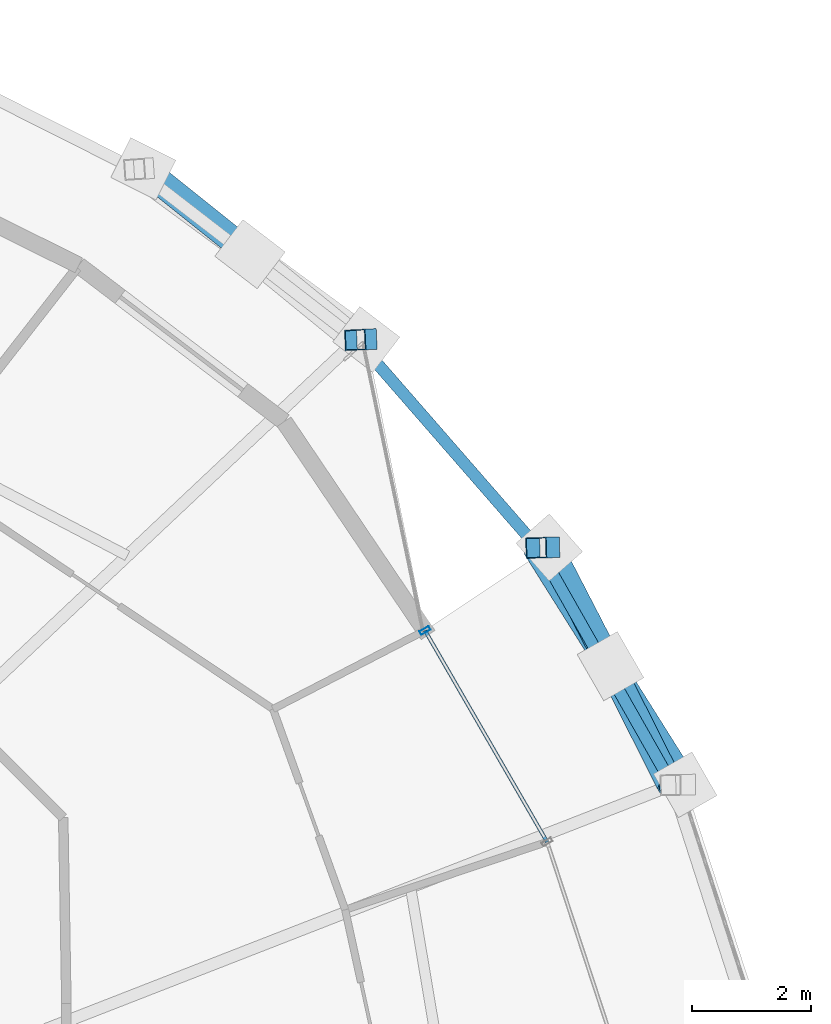
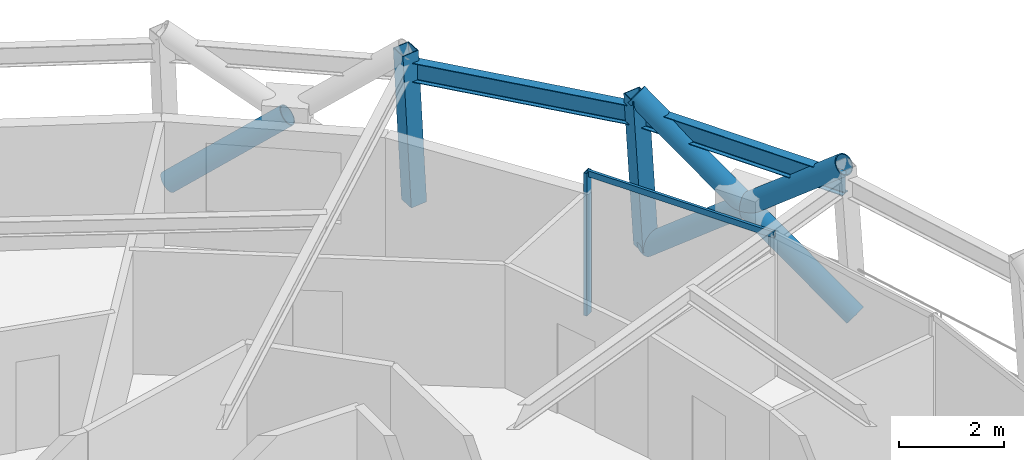
# One storey, part 10 of 17: 8 members, 2 beams, 1 element without a shape of its own.
"""IFC4 building model written with IfcOpenShell, lengths in metres."""

import ifcopenshell
import ifcopenshell.guid

model = None  # the IFC model being written
_history = None  # IfcOwnerHistory: only IFC2X3 demands one
_inside = {}  # id of a spatial element -> (the spatial element, [elements in it])
_under = {}  # id of a project, library or spatial element -> (it, [spatial elements below it])
_declared = {}  # id of a project -> (the project, [libraries it declares])
_typed = {}  # id of a type object -> (the type object, [elements of that type])
_made_of = {}  # id of a material, layer set ... -> (it, [elements and type objects made of it])


def new_model(schema):
    """Start an empty IFC model of exactly this schema.

    Asked for "IFC4X3", IfcOpenShell would pick the latest addendum, in which some entities
    have other attributes; the version numbers below select the first issue.
    IFC2X3 requires an IfcOwnerHistory on every rooted entity: one is made here for all.
    """
    global model, _history
    if schema == "IFC4X3":
        model = ifcopenshell.file(schema_version=(4, 3, 0, 0))
    else:
        model = ifcopenshell.file(schema=schema)
    _inside.clear()
    _under.clear()
    _declared.clear()
    _typed.clear()
    _made_of.clear()
    _history = None
    if model.schema == "IFC2X3":
        org = make("IfcOrganization", Name="unknown")
        user = make(
            "IfcPersonAndOrganization",
            ThePerson=make("IfcPerson", FamilyName="unknown"),
            TheOrganization=org,
        )
        app = make(
            "IfcApplication",
            ApplicationDeveloper=org,
            Version="unknown",
            ApplicationFullName="unknown",
            ApplicationIdentifier="unknown",
        )
        _history = make(
            "IfcOwnerHistory",
            OwningUser=user,
            OwningApplication=app,
            ChangeAction="ADDED",
            CreationDate=0,
        )
    return model


def make(cls, **values):
    """One entity of the class cls with the attributes given. An attribute that is None is left unset."""
    return model.create_entity(
        cls, **{name: value for name, value in values.items() if value is not None}
    )


def rooted(cls, **values):
    """An entity with a GlobalId (a new one), such as an element, a storey or a relation."""
    return make(cls, GlobalId=ifcopenshell.guid.new(), OwnerHistory=_history, **values)


def si_unit(unit_type, name, prefix=None):
    """IfcSIUnit, for example si_unit("LENGTHUNIT", "METRE", prefix="MILLI")."""
    return make("IfcSIUnit", UnitType=unit_type, Prefix=prefix, Name=name)


def assignment(units):
    """IfcUnitAssignment: the units of a project."""
    return None if units is None else make("IfcUnitAssignment", Units=units)


def point(xyz):
    """IfcCartesianPoint."""
    return None if xyz is None else make("IfcCartesianPoint", Coordinates=xyz)


def direction(xyz):
    """IfcDirection."""
    return None if xyz is None else make("IfcDirection", DirectionRatios=xyz)


def frame(location, z_axis=None, x_axis=None):
    """IfcAxis2Placement3D, a coordinate frame: its origin and axes. An axis left out is left unset."""
    return make(
        "IfcAxis2Placement3D",
        Location=point(location),
        Axis=direction(z_axis),
        RefDirection=direction(x_axis),
    )


def frame_2d(location, x_axis=None):
    """IfcAxis2Placement2D, a coordinate frame in the plane: its origin and x axis."""
    return make(
        "IfcAxis2Placement2D", Location=point(location), RefDirection=direction(x_axis)
    )


def origin():
    """The frame at (0, 0, 0) with its axes left unset."""
    return frame((0.0, 0.0, 0.0))


def origin_2d():
    """The frame at (0, 0) in the plane with its x axis left unset."""
    return frame_2d((0.0, 0.0))


def place(relative_to, where):
    """IfcLocalPlacement: puts the frame where relative to a parent placement (None: the world)."""
    return make(
        "IfcLocalPlacement", PlacementRelTo=relative_to, RelativePlacement=where
    )


def context(
    kind, dimensions, precision=None, world=None, true_north=None, identifier=None
):
    """IfcGeometricRepresentationContext, for example the 3D "Model" context."""
    return make(
        "IfcGeometricRepresentationContext",
        ContextIdentifier=identifier,
        ContextType=kind,
        CoordinateSpaceDimension=dimensions,
        Precision=precision,
        WorldCoordinateSystem=world,
        TrueNorth=true_north,
    )


def subcontext(parent, identifier, kind, view, scale=None):
    """IfcGeometricRepresentationSubContext, for example "Body" below "Model"."""
    return make(
        "IfcGeometricRepresentationSubContext",
        ContextIdentifier=identifier,
        ContextType=kind,
        ParentContext=parent,
        TargetScale=scale,
        TargetView=view,
    )


def project(units=None, contexts=None):
    """IfcProject with its units and contexts."""
    return rooted(
        "IfcProject",
        Name="project",
        RepresentationContexts=contexts,
        UnitsInContext=assignment(units),
    )


def spatial(cls, under=None, at=None, **own):
    """A site, building, storey or space (cls), placed at a placement, below another one or the project."""
    s = rooted(cls, ObjectPlacement=at, **own)
    if under is not None:
        _under.setdefault(under.id(), (under, []))[1].append(s)
    return s


def profile(cls, at=None, kind="AREA", **sizes):
    """A parametric profile (cls). Its sizes go by their IFC names, for example OverallWidth=200.0."""
    return make(cls, ProfileType=kind, Position=at, **sizes)


def hollow_rectangle(**sizes):
    """IfcRectangleHollowProfileDef."""
    return profile("IfcRectangleHollowProfileDef", **sizes)


def hollow_circle(**sizes):
    """IfcCircleHollowProfileDef."""
    return profile("IfcCircleHollowProfileDef", **sizes)


def i_section(**sizes):
    """IfcIShapeProfileDef."""
    return profile("IfcIShapeProfileDef", **sizes)


def extrude(swept, where, along, depth):
    """IfcExtrudedAreaSolid: the profile swept, set in the frame where, extruded along a direction by depth."""
    return make(
        "IfcExtrudedAreaSolid",
        SweptArea=swept,
        Position=where,
        ExtrudedDirection=direction(along),
        Depth=depth,
    )


def shape(context_of_items, identifier, shape_type, items):
    """IfcShapeRepresentation: the items that make up one representation, for example the "Body"."""
    return make(
        "IfcShapeRepresentation",
        ContextOfItems=context_of_items,
        RepresentationIdentifier=identifier,
        RepresentationType=shape_type,
        Items=items,
    )


def material(Name=None, Category=None):
    """IfcMaterial."""
    return make("IfcMaterial", Name=Name, Category=Category)


def layer(
    of_material, thickness, ventilated=None, Name=None, Category=None, Priority=None
):
    """IfcMaterialLayer: one layer of a wall or slab, of a material (None: an air gap)."""
    return make(
        "IfcMaterialLayer",
        Material=of_material,
        LayerThickness=thickness,
        IsVentilated=ventilated,
        Name=Name,
        Category=Category,
        Priority=Priority,
    )


def layer_set(layers, Name=None):
    """IfcMaterialLayerSet."""
    return make("IfcMaterialLayerSet", MaterialLayers=layers, LayerSetName=Name)


def material_profile(
    of_material, cross_section, Name=None, Category=None, Priority=None
):
    """IfcMaterialProfile: a cross section and its material."""
    return make(
        "IfcMaterialProfile",
        Name=Name,
        Material=of_material,
        Profile=cross_section,
        Priority=Priority,
        Category=Category,
    )


def profile_set(profiles, Name=None, composite=None):
    """IfcMaterialProfileSet."""
    return make(
        "IfcMaterialProfileSet",
        Name=Name,
        MaterialProfiles=profiles,
        CompositeProfile=composite,
    )


def made_of(thing, what):
    """Note that an element or type object is made of a material, layer set ...; save() writes the relation."""
    if what is not None:
        _made_of.setdefault(what.id(), (what, []))[1].append(thing)
    return thing


def type_object(cls, material=None, **own):
    """A type object (cls), such as IfcWallType, which elements share."""
    return made_of(rooted(cls, **own), material)


def element(
    cls,
    number,
    at=None,
    inside=None,
    cuts=None,
    type_object=None,
    material=None,
    context=None,
    identifier="Body",
    shape_type=None,
    held_by="IfcProductDefinitionShape",
    body=None,
    shapes=None,
    **own,
):
    """One element of the class cls, such as IfcWall. Its Tag is "e" and its number.

    at: its placement. inside: the storey or other place that contains it. cuts: it is an
    opening in that element (IfcRelVoidsElement). A single representation is given by context,
    identifier, shape_type and body (its items); several are given by shapes. held_by: the class
    of the entity that holds the representations. save() writes the other relations.
    """
    e = rooted(cls, Tag="e%d" % number, ObjectPlacement=at, **own)
    if body is not None:
        shapes = [shape(context, identifier, shape_type, body)]
    if shapes is not None:
        e.Representation = make(held_by, Representations=shapes)
    if inside is not None:
        _inside.setdefault(inside.id(), (inside, []))[1].append(e)
    if cuts is not None:
        rooted(
            "IfcRelVoidsElement", RelatingBuildingElement=cuts, RelatedOpeningElement=e
        )
    if type_object is not None:
        _typed.setdefault(type_object.id(), (type_object, []))[1].append(e)
    return made_of(e, material)


def aggregate(whole, parts):
    """IfcRelAggregates: a whole, such as a stair, and the parts it consists of."""
    return rooted("IfcRelAggregates", RelatingObject=whole, RelatedObjects=parts)


def save(model, path):
    """Write the relations noted so far, then the file.

    IfcRelAggregates (storeys below a building ...), IfcRelContainedInSpatialStructure (elements
    in a storey), IfcRelDefinesByType, IfcRelAssociatesMaterial and IfcRelDeclares: one each for
    every whole, place, type object, material and project.
    """
    for whole, parts in _under.values():
        aggregate(whole, parts)
    for where, things in _inside.values():
        rooted(
            "IfcRelContainedInSpatialStructure",
            RelatedElements=things,
            RelatingStructure=where,
        )
    for kind, things in _typed.values():
        rooted("IfcRelDefinesByType", RelatedObjects=things, RelatingType=kind)
    for what, things in _made_of.values():
        rooted("IfcRelAssociatesMaterial", RelatedObjects=things, RelatingMaterial=what)
    for by, libraries in _declared.values():
        rooted("IfcRelDeclares", RelatingContext=by, RelatedDefinitions=libraries)
    model.write(path)


model = new_model("IFC4")

# Units and contexts
model_context = context("Model", 3, precision=1e-05, world=origin(), true_north=direction((0.0, 1.0)))
body_context = subcontext(model_context, "Body", "Model", "MODEL_VIEW")
ifc_project = project(units=[si_unit("LENGTHUNIT", "METRE"), si_unit("AREAUNIT", "SQUARE_METRE"), si_unit("VOLUMEUNIT", "CUBIC_METRE"), si_unit("PLANEANGLEUNIT", "RADIAN"), si_unit("MASSUNIT", "GRAM", prefix="KILO")], contexts=[model_context])

# Site, building, storey
site_placement = place(None, origin())
site = spatial("IfcSite", under=ifc_project, at=site_placement, CompositionType="ELEMENT")
building_placement = place(site_placement, origin())
building = spatial("IfcBuilding", under=site, at=building_placement, Name="Veldorina Hangang Commons", CompositionType="ELEMENT")
storey_placement = place(building_placement, frame((0.0, 0.0, 225.60009765625)))
storey = spatial("IfcBuildingStorey", under=building, at=storey_placement, Name="L58", CompositionType="ELEMENT", Elevation=225.60009765625)

# Beams
ifc_material_1 = material(Name="Steel SM355-TMC", Category="steel")
ifc_material_profile_1 = material_profile(ifc_material_1, i_section(OverallWidth=0.199951171875, OverallDepth=0.449951171875, WebThickness=0.009033203125, FlangeThickness=0.013916015625, FilletRadius=0.01611328125, at=origin_2d()), Name="H-450x200x9x14")
ifc_profile_set_1 = profile_set([ifc_material_profile_1], Name="Steel SM355-TMC")
beam_type = type_object("IfcBeamType", Name="BM-RB450", PredefinedType="BEAM", material=ifc_profile_set_1)
beam_1_placement = place(storey_placement, frame((54.6982421875, 32.852294921875, 3.135009765625), z_axis=(-0.493695595954, 0.869634784571, 0.0), x_axis=(-0.869634784571, -0.493695595954, 0.0)))
element("IfcBeam", 1, at=beam_1_placement, inside=storey, type_object=beam_type, Name="L58 perimeter hoop ring beam 02", PredefinedType="BEAM", context=body_context, shape_type="SweptSolid", body=[
    extrude(i_section(OverallWidth=0.199951171875, OverallDepth=0.449951171875, WebThickness=0.009033203125, FlangeThickness=0.013916015625, FilletRadius=0.01611328125, at=origin_2d()), origin(), (0.0, 0.0, 1.0), 4.598388671875),
])
beam_2_placement = place(storey_placement, frame((52.427978515625, 36.851318359375, 3.135009765625), z_axis=(-0.657068652879, 0.753830740554, 0.0), x_axis=(-0.753830740554, -0.657068652879, 0.0)))
element("IfcBeam", 2, at=beam_2_placement, inside=storey, type_object=beam_type, Name="L58 perimeter hoop ring beam 03", PredefinedType="BEAM", context=body_context, shape_type="SweptSolid", body=[
    extrude(i_section(OverallWidth=0.199951171875, OverallDepth=0.449951171875, WebThickness=0.009033203125, FlangeThickness=0.013916015625, FilletRadius=0.01611328125, at=origin_2d()), origin(), (0.0, 0.0, 1.0), 4.650146484375),
])

# Curtain wall, members
ifc_material_2 = material(Name="Glass Low-E Selective", Category="glass")
ifc_layer = layer(ifc_material_2, 0.179931640625)
ifc_layer_set = layer_set([ifc_layer], Name="Glass Low-E Selective")
curtain_wall_type = type_object("IfcCurtainWallType", Name="CW-SYS-Z3", PredefinedType="NOTDEFINED", material=ifc_layer_set)
curtain_wall_placement = place(storey_placement, origin())
curtain_wall = element("IfcCurtainWall", 3, at=curtain_wall_placement, inside=storey, type_object=curtain_wall_type, Name="L58 unitised curtain wall CW-L58-R2", PredefinedType="NOTDEFINED")
ifc_material_3 = material(Name="Aluminium Anodized AA6063-T6", Category="aluminium")
ifc_material_profile_2 = material_profile(ifc_material_3, hollow_rectangle(XDim=0.070068359375, YDim=0.179931640625, WallThickness=0.00390625, at=origin_2d()), Name="ALU-RHS-180x70x4")
ifc_profile_set_2 = profile_set([ifc_material_profile_2], Name="Aluminium Anodized AA6063-T6")
member_type_1 = type_object("IfcMemberType", Name="CW-MUL-180", PredefinedType="MULLION", material=ifc_profile_set_2)
member_1_placement = place(storey_placement, frame((50.525634765625, 35.457275390625, 0.0), z_axis=(0.0, 0.0, 1.0), x_axis=(0.500105801231, -0.865964310798, 0.0)))
member_1 = element("IfcMember", 4, at=member_1_placement, type_object=member_type_1, Name="CW-L58-R2 vertical mullion 5", PredefinedType="MULLION", context=body_context, shape_type="SweptSolid", body=[
    extrude(hollow_rectangle(XDim=0.070068359375, YDim=0.179931640625, WallThickness=0.00390625, at=origin_2d()), origin(), (0.0, 0.0, 1.0), 3.31982421875),
])
ifc_material_profile_3 = material_profile(ifc_material_3, hollow_rectangle(XDim=0.06005859375, YDim=0.139892578125, WallThickness=0.00341796875, at=origin_2d()), Name="ALU-RHS-140x60x3.5")
ifc_profile_set_3 = profile_set([ifc_material_profile_3], Name="Aluminium Anodized AA6063-T6")
member_type_2 = type_object("IfcMemberType", Name="CW-TRN-140", PredefinedType="USERDEFINED", material=ifc_profile_set_3)
member_2_placement = place(storey_placement, frame((52.584716796875, 31.891845703125, 3.27978515625), z_axis=(-0.500105692171, 0.865964373781, 0.0), x_axis=(-0.865964373781, -0.500105692171, 0.0)))
member_2 = element("IfcMember", 5, at=member_2_placement, type_object=member_type_2, Name="CW-L58-R2 facet 5 transom 1", ObjectType="TRANSOM", PredefinedType="USERDEFINED", context=body_context, shape_type="SweptSolid", body=[
    extrude(hollow_rectangle(XDim=0.06005859375, YDim=0.139892578125, WallThickness=0.00341796875, at=origin_2d()), origin(), (0.0, 0.0, 1.0), 4.1171875),
])
aggregate(curtain_wall, [member_1, member_2])

# Members
ifc_material_profile_4 = material_profile(ifc_material_1, hollow_circle(Radius=0.22509765625, WallThickness=0.02197265625, at=origin_2d()), Name="CHS-450x22")
ifc_profile_set_4 = profile_set([ifc_material_profile_4], Name="Steel SM355-TMC")
member_type_3 = type_object("IfcMemberType", Name="DG-CHS450", PredefinedType="BRACE", material=ifc_profile_set_4)
member_3_placement = place(storey_placement, frame((54.912841796875, 32.856201171875, 0.0), z_axis=(-0.423449488736, 0.67295357797, 0.606484964683), x_axis=(-0.846381395908, -0.532577255111, 0.0)))
element("IfcMember", 6, at=member_3_placement, inside=storey, type_object=member_type_3, Name="L58 continuous perimeter diagrid brace 02", PredefinedType="BRACE", context=body_context, shape_type="SweptSolid", body=[
    extrude(hollow_circle(Radius=0.22509765625, WallThickness=0.02197265625, at=origin_2d()), origin(), (0.0, 0.0, 1.0), 5.935546875),
])
member_4_placement = place(storey_placement, frame((52.620849609375, 36.857177734375, 0.0), z_axis=(0.358211437065, -0.693653763409, 0.624923213575), x_axis=(0.888518003661, 0.458841756131, 0.0)))
element("IfcMember", 7, at=member_4_placement, inside=storey, type_object=member_type_3, Name="L58 split perimeter diagrid lower brace 03", PredefinedType="BRACE", context=body_context, shape_type="SweptSolid", body=[
    extrude(hollow_circle(Radius=0.22509765625, WallThickness=0.02197265625, at=origin_2d()), origin(), (0.0, 0.0, 1.0), 2.88427734375),
])
member_5_placement = place(storey_placement, frame((53.654052734375, 34.8564453125, 1.802490234375), z_axis=(0.351954682425, -0.696950048727, 0.624810796241), x_axis=(0.892637418917, 0.450775374604, 0.0)))
element("IfcMember", 8, at=member_5_placement, inside=storey, type_object=member_type_3, Name="L58 split perimeter diagrid upper brace 03", PredefinedType="BRACE", context=body_context, shape_type="SweptSolid", body=[
    extrude(hollow_circle(Radius=0.22509765625, WallThickness=0.02197265625, at=origin_2d()), origin(), (0.0, 0.0, 1.0), 2.876708984375),
])
member_6_placement = place(storey_placement, frame((45.778564453125, 43.2421875, 0.0), z_axis=(0.614337626205, -0.491720340323, 0.617090259153), x_axis=(0.624888936609, 0.780713658715, 0.0)))
element("IfcMember", 9, at=member_6_placement, inside=storey, type_object=member_type_3, Name="L58 split perimeter diagrid lower brace 05", PredefinedType="BRACE", context=body_context, shape_type="SweptSolid", body=[
    extrude(hollow_circle(Radius=0.22509765625, WallThickness=0.02197265625, at=origin_2d()), origin(), (0.0, 0.0, 1.0), 2.927001953125),
])
ifc_material_profile_5 = material_profile(ifc_material_1, hollow_rectangle(XDim=0.35009765625, YDim=0.35009765625, WallThickness=0.01611328125, at=origin_2d()), Name="SHS-350x350x16")
ifc_profile_set_5 = profile_set([ifc_material_profile_5], Name="Steel SM355-TMC")
member_type_4 = type_object("IfcMemberType", Name="STR-SHS350", PredefinedType="STRUT", material=ifc_profile_set_5)
member_7_placement = place(storey_placement, frame((52.620849609375, 36.857177734375, 0.0), z_axis=(-0.061396229325, -0.001827671656, 0.998111798668), x_axis=(0.029755286398, -0.999557213436, 0.0)))
element("IfcMember", 10, at=member_7_placement, inside=storey, type_object=member_type_4, Name="L58 perimeter ring node post 03", PredefinedType="STRUT", context=body_context, shape_type="SweptSolid", body=[
    extrude(hollow_rectangle(XDim=0.35009765625, YDim=0.35009765625, WallThickness=0.01611328125, at=origin_2d()), origin(), (0.0, 0.0, 1.0), 3.606689453125),
])
member_8_placement = place(storey_placement, frame((49.53662109375, 40.364013671875, 0.0), z_axis=(-0.052284978824, -0.002302706321, 0.9986295502), x_axis=(0.043998800326, -0.99903158387, 0.0)))
element("IfcMember", 11, at=member_8_placement, inside=storey, type_object=member_type_4, Name="L58 perimeter ring node post 04", PredefinedType="STRUT", context=body_context, shape_type="SweptSolid", body=[
    extrude(hollow_rectangle(XDim=0.35009765625, YDim=0.35009765625, WallThickness=0.01611328125, at=origin_2d()), origin(), (0.0, 0.0, 1.0), 3.604736328125),
])

save(model, "model.ifc")
